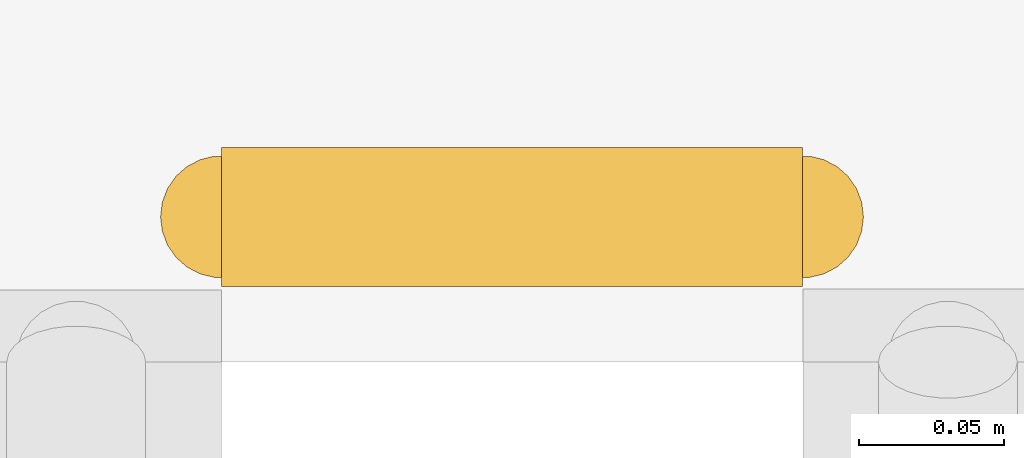
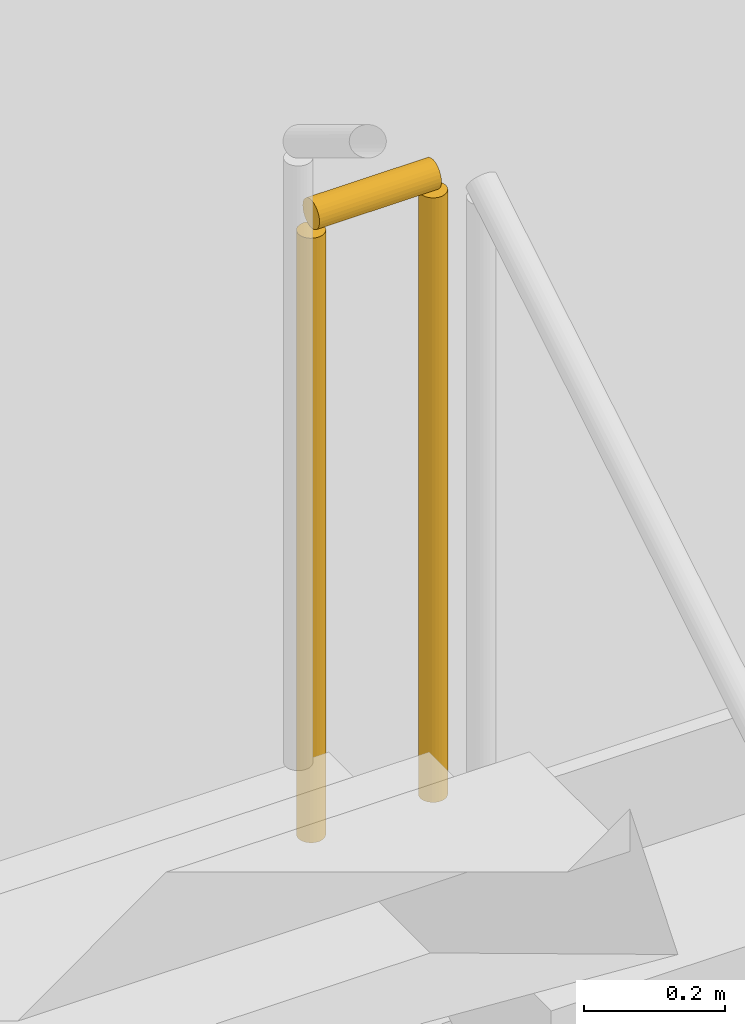
# One storey, part 75 of 75: 1 railing.
"""IFC4 building model written with IfcOpenShell, lengths in metres."""

from ifc_helpers import new_model, si_unit, direction, frame, origin, origin_2d, place, context, subcontext, project, spatial, circle, extrude, material, type_object, element, save


model = new_model("IFC4")

# Units and contexts
model_context = context("Model", 3, precision=1e-05, world=origin(), true_north=direction((0.0, 1.0)))
body_context = subcontext(model_context, "Body", "Model", "MODEL_VIEW")
ifc_project = project(units=[si_unit("LENGTHUNIT", "METRE"), si_unit("AREAUNIT", "SQUARE_METRE"), si_unit("VOLUMEUNIT", "CUBIC_METRE"), si_unit("PLANEANGLEUNIT", "RADIAN"), si_unit("MASSUNIT", "GRAM", prefix="KILO")], contexts=[model_context])

# Site, building, storey
site_placement = place(None, origin())
site = spatial("IfcSite", under=ifc_project, at=site_placement, CompositionType="ELEMENT")
building_placement = place(site_placement, origin())
building = spatial("IfcBuilding", under=site, at=building_placement, Name="Caelomonte Colonnade Arena", CompositionType="ELEMENT")
storey_placement = place(building_placement, frame((0.0, 0.0, 14.10009765625)))
storey = spatial("IfcBuildingStorey", under=building, at=storey_placement, Name="L03", CompositionType="ELEMENT", Elevation=14.10009765625)

# Railing
ifc_material = material(Name="Painted galvanized steel stair guard", Category="steel")
railing_type = type_object("IfcRailingType", Name="INT-RL-GRD", PredefinedType="GUARDRAIL", material=ifc_material)
railing_placement = place(storey_placement, frame((157.64990234375, 130.719970703125, 2.25)))
element("IfcRailing", 1, at=railing_placement, inside=storey, type_object=railing_type, Name="L03 ST-06 stair guard 2", PredefinedType="GUARDRAIL", context=body_context, shape_type="SweptSolid", body=[
    extrude(circle(Radius=0.02392578125, at=origin_2d()), frame((0.0, 0.0, 1.076171875), z_axis=(-1.0, 0.0, 0.0), x_axis=(0.0, -1.0, 0.0)), (0.0, 0.0, 1.0), 0.199951171875),
    extrude(circle(Radius=0.02099609375, at=origin_2d()), origin(), (0.0, 0.0, 1.0), 1.048095703125),
    extrude(circle(Radius=0.02099609375, at=origin_2d()), frame((-0.199951171875, 0.0, 0.0)), (0.0, 0.0, 1.0), 1.048095703125),
])

save(model, "model.ifc")
